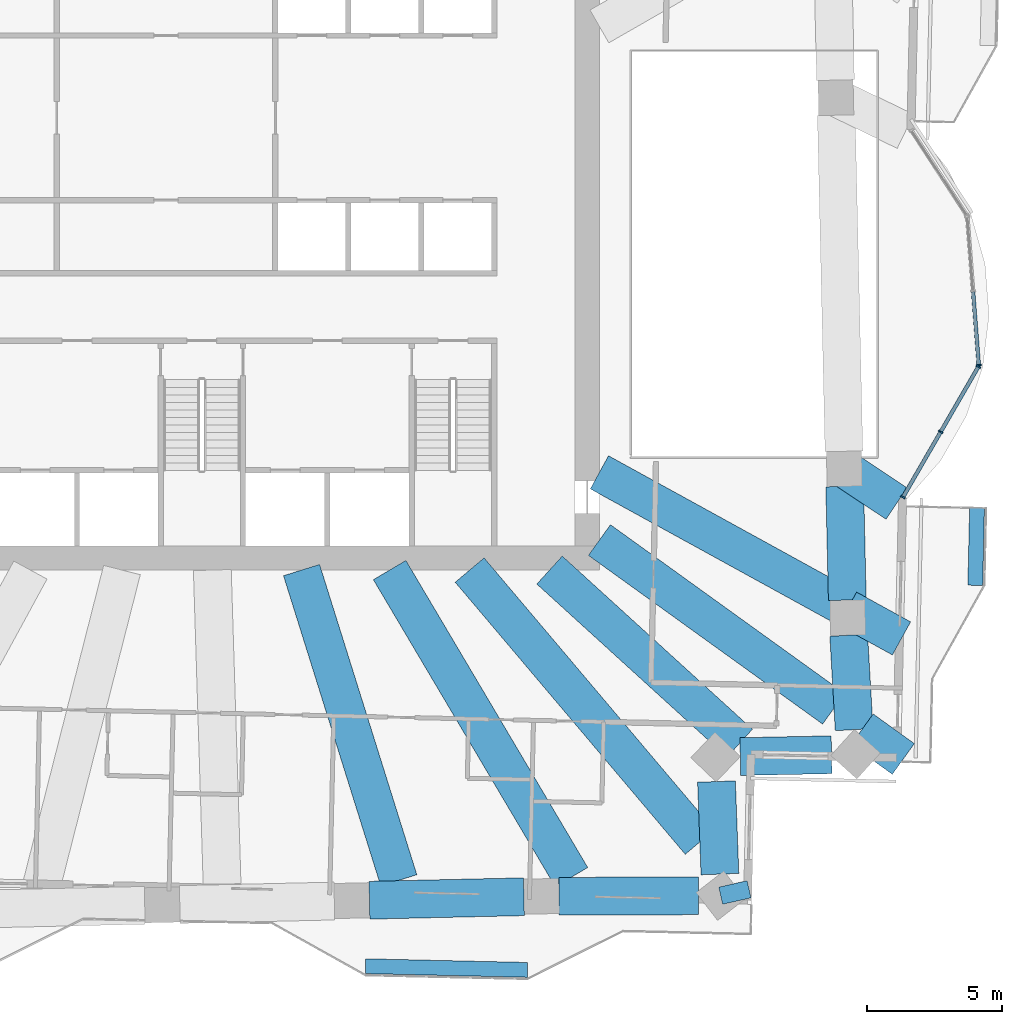
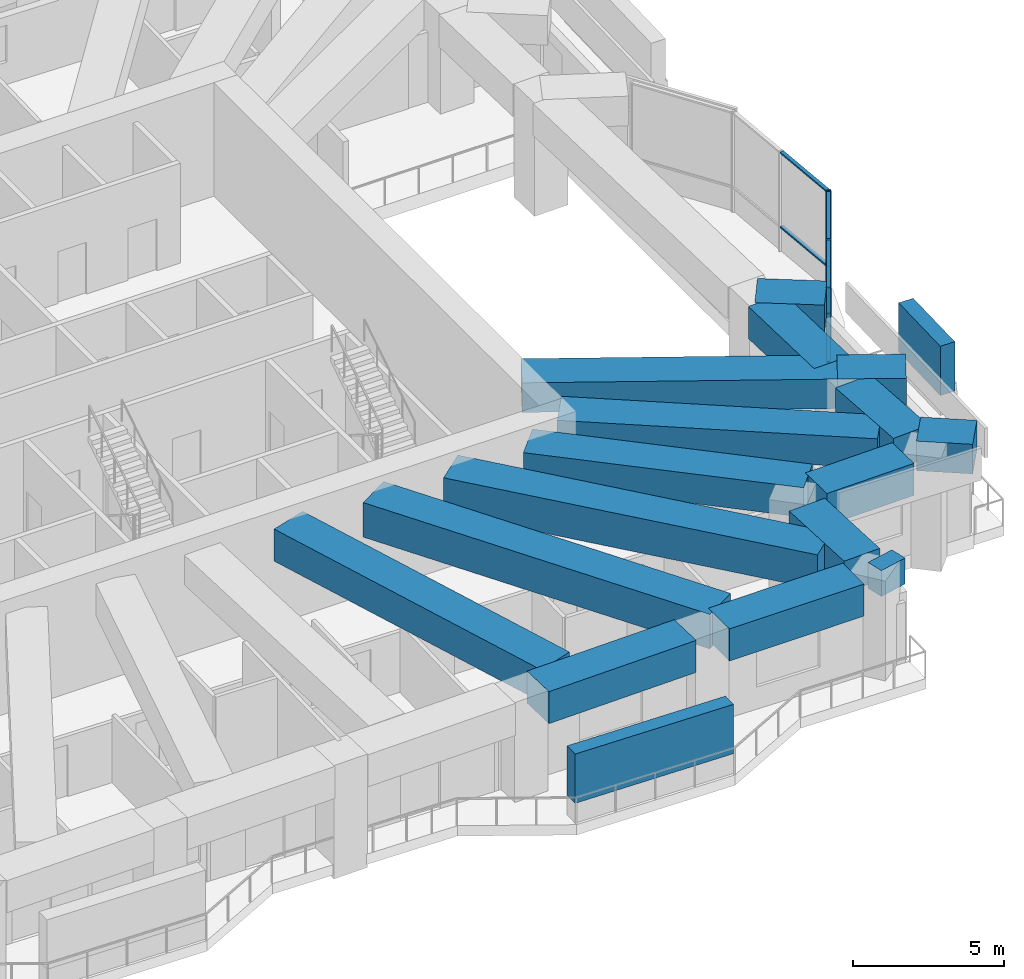
# One storey, part 3 of 17: 16 beams, 12 members, 2 elements without a shape of their own.
"""IFC4 building model written with IfcOpenShell, lengths in metres."""

from ifc_helpers import new_model, si_unit, direction, frame, origin, origin_2d, place, context, subcontext, project, spatial, rectangle, extrude, material, material_profile, profile_set, type_object, element, aggregate, save


model = new_model("IFC4")

# Units and contexts
model_context = context("Model", 3, precision=1e-05, world=origin(), true_north=direction((0.0, 1.0)))
body_context = subcontext(model_context, "Body", "Model", "MODEL_VIEW")
ifc_project = project(units=[si_unit("LENGTHUNIT", "METRE"), si_unit("AREAUNIT", "SQUARE_METRE"), si_unit("VOLUMEUNIT", "CUBIC_METRE"), si_unit("PLANEANGLEUNIT", "RADIAN"), si_unit("MASSUNIT", "GRAM", prefix="KILO")], contexts=[model_context])

# Site, building, storey
site_placement = place(None, origin())
site = spatial("IfcSite", under=ifc_project, at=site_placement, CompositionType="ELEMENT")
building_placement = place(site_placement, origin())
building = spatial("IfcBuilding", under=site, at=building_placement, Name="Mangrove Gate Tower", CompositionType="ELEMENT")
storey_placement = place(building_placement, frame((0.0, 0.0, 148.10009765625)))
storey = spatial("IfcBuildingStorey", under=building, at=storey_placement, Name="L37", CompositionType="ELEMENT", Elevation=148.10009765625)

# Members
ifc_material_1 = material(Name="Planting on aluminium trellis", Category="aluminium")
ifc_material_profile_1 = material_profile(ifc_material_1, rectangle(XDim=0.550048828125, YDim=2.0, at=origin_2d()))
ifc_profile_set_1 = profile_set([ifc_material_profile_1], Name="Planting on aluminium trellis")
member_type_1 = type_object("IfcMemberType", Name="Balcony greenery screen 550x2000", PredefinedType="USERDEFINED", material=ifc_profile_set_1)
member_1_placement = place(storey_placement, frame((28.62109375, -12.26611328125, 1.7998046875), z_axis=(0.022590224177, 0.999744808324, 0.0), x_axis=(-0.999744808324, 0.022590224177, 0.0)))
element("IfcMember", 1, at=member_1_placement, inside=storey, type_object=member_type_1, Name="GREEN SCREEN L37 E0.1", ObjectType="PLANTING", PredefinedType="USERDEFINED", context=body_context, shape_type="SweptSolid", body=[
    extrude(rectangle(XDim=0.550048828125, YDim=2.0, at=origin_2d()), origin(), (0.0, 0.0, 1.0), 2.874755859375),
])
member_2_placement = place(storey_placement, frame((6.0400390625, -26.3720703125, 1.7998046875), z_axis=(0.999743094499, -0.022665943652, 0.0), x_axis=(0.022665943652, 0.999743094499, 0.0)))
element("IfcMember", 2, at=member_2_placement, inside=storey, type_object=member_type_1, Name="GREEN SCREEN L37 S1.1", ObjectType="PLANTING", PredefinedType="USERDEFINED", context=body_context, shape_type="SweptSolid", body=[
    extrude(rectangle(XDim=0.550048828125, YDim=2.0, at=origin_2d()), origin(), (0.0, 0.0, 1.0), 5.99951171875),
])

# Curtain wall, members
ifc_material_2 = material(Name="Aluminium and glass curtain wall", Category="aluminium")
curtain_wall_type = type_object("IfcCurtainWallType", Name="Sky-lounge glazing wall", PredefinedType="NOTDEFINED", material=ifc_material_2)
curtain_wall_1_placement = place(storey_placement, origin())
curtain_wall_1 = element("IfcCurtainWall", 3, at=curtain_wall_1_placement, inside=storey, type_object=curtain_wall_type, Name="Sky-lounge glazing E1f1", PredefinedType="NOTDEFINED")
ifc_material_3 = material(Name="Aluminium alloy 6063-T6", Category="aluminium")
ifc_material_profile_2 = material_profile(ifc_material_3, rectangle(XDim=0.06005859375, YDim=0.179931640625, at=origin_2d()))
ifc_profile_set_2 = profile_set([ifc_material_profile_2], Name="Aluminium alloy 6063-T6")
member_type_2 = type_object("IfcMemberType", Name="Sky-lounge glazing mullion 60x180", PredefinedType="MULLION", material=ifc_profile_set_2)
member_3_placement = place(storey_placement, frame((25.94384765625, -8.99853515625, 0.0), z_axis=(0.0, 0.0, 1.0), x_axis=(0.500418160284, 0.865783844189, 0.0)))
member_3 = element("IfcMember", 4, at=member_3_placement, type_object=member_type_2, Name="CWK mullion 1", PredefinedType="MULLION", context=body_context, shape_type="SweptSolid", body=[
    extrude(rectangle(XDim=0.06005859375, YDim=0.179931640625, at=origin_2d()), origin(), (0.0, 0.0, 1.0), 4.0498046875),
])
member_4_placement = place(storey_placement, frame((27.340576171875, -6.582275390625, 0.0), z_axis=(0.0, 0.0, 1.0), x_axis=(0.500418160284, 0.865783844189, 0.0)))
member_4 = element("IfcMember", 5, at=member_4_placement, type_object=member_type_2, Name="CWK mullion 2", PredefinedType="MULLION", context=body_context, shape_type="SweptSolid", body=[
    extrude(rectangle(XDim=0.06005859375, YDim=0.179931640625, at=origin_2d()), origin(), (0.0, 0.0, 1.0), 4.0498046875),
])
member_5_placement = place(storey_placement, frame((28.737060546875, -4.166015625, 0.0), z_axis=(0.0, 0.0, 1.0), x_axis=(0.500418160284, 0.865783844189, 0.0)))
member_5 = element("IfcMember", 6, at=member_5_placement, type_object=member_type_2, Name="CWK mullion 3", PredefinedType="MULLION", context=body_context, shape_type="SweptSolid", body=[
    extrude(rectangle(XDim=0.06005859375, YDim=0.179931640625, at=origin_2d()), origin(), (0.0, 0.0, 1.0), 4.0498046875),
])

# Curtain wall, member
curtain_wall_2_placement = place(storey_placement, origin())
curtain_wall_2 = element("IfcCurtainWall", 7, at=curtain_wall_2_placement, inside=storey, type_object=curtain_wall_type, Name="Sky-lounge glazing E1f2", PredefinedType="NOTDEFINED")
member_6_placement = place(storey_placement, frame((28.749755859375, -4.110107421875, 0.0), z_axis=(0.0, 0.0, 1.0), x_axis=(-0.077023348403, 0.997029289339, 0.0)))
member_6 = element("IfcMember", 8, at=member_6_placement, type_object=member_type_2, Name="CWK mullion 1", PredefinedType="MULLION", context=body_context, shape_type="SweptSolid", body=[
    extrude(rectangle(XDim=0.06005859375, YDim=0.179931640625, at=origin_2d()), origin(), (0.0, 0.0, 1.0), 4.0498046875),
])

# Member
ifc_material_4 = material(Name="Aluminium alloy 6063-T6", Category="aluminium")
ifc_material_profile_3 = material_profile(ifc_material_4, rectangle(XDim=0.06005859375, YDim=0.139892578125, at=origin_2d()))
ifc_profile_set_3 = profile_set([ifc_material_profile_3], Name="Aluminium alloy 6063-T6")
member_type_3 = type_object("IfcMemberType", Name="Sky-lounge glazing transom 60x140", PredefinedType="USERDEFINED", material=ifc_profile_set_3)
member_7_placement = place(storey_placement, frame((25.958984375, -8.97265625, 1.0), z_axis=(0.500359513284, 0.865817739173, 0.0), x_axis=(0.0, 0.0, 1.0)))
member_7 = element("IfcMember", 9, at=member_7_placement, type_object=member_type_3, Name="CWK transom 1.2", ObjectType="TRANSOM", PredefinedType="USERDEFINED", context=body_context, shape_type="SweptSolid", body=[
    extrude(rectangle(XDim=0.06005859375, YDim=0.139892578125, at=origin_2d()), origin(), (0.0, 0.0, 1.0), 2.73095703125),
])

member_8_placement = place(storey_placement, frame((25.958984375, -8.97265625, 4.02001953125), z_axis=(0.500359513284, 0.865817739173, 0.0), x_axis=(0.0, 0.0, 1.0)))
member_8 = element("IfcMember", 10, at=member_8_placement, type_object=member_type_3, Name="CWK transom 1.3", ObjectType="TRANSOM", PredefinedType="USERDEFINED", context=body_context, shape_type="SweptSolid", body=[
    extrude(rectangle(XDim=0.06005859375, YDim=0.139892578125, at=origin_2d()), origin(), (0.0, 0.0, 1.0), 2.73095703125),
])

member_9_placement = place(storey_placement, frame((27.35546875, -6.556396484375, 1.0), z_axis=(0.500426524989, 0.865779009382, 0.0), x_axis=(0.0, 0.0, 1.0)))
member_9 = element("IfcMember", 11, at=member_9_placement, type_object=member_type_3, Name="CWK transom 2.2", ObjectType="TRANSOM", PredefinedType="USERDEFINED", context=body_context, shape_type="SweptSolid", body=[
    extrude(rectangle(XDim=0.06005859375, YDim=0.139892578125, at=origin_2d()), origin(), (0.0, 0.0, 1.0), 2.73095703125),
])

member_10_placement = place(storey_placement, frame((27.35546875, -6.556396484375, 4.02001953125), z_axis=(0.500426524989, 0.865779009382, 0.0), x_axis=(0.0, 0.0, 1.0)))
member_10 = element("IfcMember", 12, at=member_10_placement, type_object=member_type_3, Name="CWK transom 2.3", ObjectType="TRANSOM", PredefinedType="USERDEFINED", context=body_context, shape_type="SweptSolid", body=[
    extrude(rectangle(XDim=0.06005859375, YDim=0.139892578125, at=origin_2d()), origin(), (0.0, 0.0, 1.0), 2.73095703125),
])

aggregate(curtain_wall_1, [member_3, member_4, member_5, member_7, member_8, member_9, member_10])

member_11_placement = place(storey_placement, frame((28.74755859375, -4.080078125, 1.0), z_axis=(-0.077042645639, 0.997027798385, 0.0), x_axis=(0.0, 0.0, 1.0)))
member_11 = element("IfcMember", 13, at=member_11_placement, type_object=member_type_3, Name="CWK transom 1.2", ObjectType="TRANSOM", PredefinedType="USERDEFINED", context=body_context, shape_type="SweptSolid", body=[
    extrude(rectangle(XDim=0.06005859375, YDim=0.139892578125, at=origin_2d()), origin(), (0.0, 0.0, 1.0), 2.69677734375),
])

member_12_placement = place(storey_placement, frame((28.74755859375, -4.080078125, 4.02001953125), z_axis=(-0.077042645639, 0.997027798385, 0.0), x_axis=(0.0, 0.0, 1.0)))
member_12 = element("IfcMember", 14, at=member_12_placement, type_object=member_type_3, Name="CWK transom 1.3", ObjectType="TRANSOM", PredefinedType="USERDEFINED", context=body_context, shape_type="SweptSolid", body=[
    extrude(rectangle(XDim=0.06005859375, YDim=0.139892578125, at=origin_2d()), origin(), (0.0, 0.0, 1.0), 2.69677734375),
])

aggregate(curtain_wall_2, [member_6, member_11, member_12])

# Beams
ifc_material_5 = material(Name="Concrete C60/75", Category="concrete")
ifc_material_profile_4 = material_profile(ifc_material_5, rectangle(XDim=1.39990234375, YDim=1.199951171875, at=origin_2d()))
ifc_profile_set_4 = profile_set([ifc_material_profile_4], Name="Concrete C60/75")
beam_type_1 = type_object("IfcBeamType", Name="Transfer girder RC 1400x1200 C60/75", PredefinedType="BEAM", material=ifc_profile_set_4)
beam_1_placement = place(storey_placement, frame((12.852783203125, -11.699951171875, 3.449951171875), z_axis=(0.739487699429, -0.673170069443, 0.0), x_axis=(0.673170069443, 0.739487699429, 0.0)))
element("IfcBeam", 15, at=beam_1_placement, inside=storey, type_object=beam_type_1, Name="Transfer girder L37 11", PredefinedType="BEAM", context=body_context, shape_type="SweptSolid", body=[
    extrude(rectangle(XDim=1.39990234375, YDim=1.199951171875, at=origin_2d()), origin(), (0.0, 0.0, 1.0), 9.52734375),
])
beam_2_placement = place(storey_placement, frame((14.699951171875, -10.58837890625, 3.449951171875), z_axis=(0.811428215663, -0.584452094552, 0.0), x_axis=(0.584452094552, 0.811428215663, 0.0)))
element("IfcBeam", 16, at=beam_2_placement, inside=storey, type_object=beam_type_1, Name="Transfer girder L37 12", PredefinedType="BEAM", context=body_context, shape_type="SweptSolid", body=[
    extrude(rectangle(XDim=1.39990234375, YDim=1.199951171875, at=origin_2d()), origin(), (0.0, 0.0, 1.0), 10.691650390625),
])
beam_3_placement = place(storey_placement, frame((24.43017578125, -17.596923828125, 3.449951171875), z_axis=(0.811376772307, -0.584523509673, 0.0), x_axis=(0.584523509673, 0.811376772307, 0.0)))
element("IfcBeam", 17, at=beam_3_placement, inside=storey, type_object=beam_type_1, Name="Transfer cantilever girder L37 12", PredefinedType="BEAM", context=body_context, shape_type="SweptSolid", body=[
    extrude(rectangle(XDim=1.39990234375, YDim=1.199951171875, at=origin_2d()), origin(), (0.0, 0.0, 1.0), 1.881103515625),
])
beam_4_placement = place(storey_placement, frame((14.699951171875, -8.080078125, 3.449951171875), z_axis=(0.876337305893, -0.481697961695, 0.0), x_axis=(0.481697961695, 0.876337305893, 0.0)))
element("IfcBeam", 18, at=beam_4_placement, inside=storey, type_object=beam_type_1, Name="Transfer girder L37 13", PredefinedType="BEAM", context=body_context, shape_type="SweptSolid", body=[
    extrude(rectangle(XDim=1.39990234375, YDim=1.199951171875, at=origin_2d()), origin(), (0.0, 0.0, 1.0), 10.4853515625),
])
beam_5_placement = place(storey_placement, frame((23.888671875, -13.130859375, 3.449951171875), z_axis=(0.876321974304, -0.481725852899, 0.0), x_axis=(0.481725852899, 0.876321974304, 0.0)))
element("IfcBeam", 19, at=beam_5_placement, inside=storey, type_object=beam_type_1, Name="Transfer cantilever girder L37 13", PredefinedType="BEAM", context=body_context, shape_type="SweptSolid", body=[
    extrude(rectangle(XDim=1.39990234375, YDim=1.199951171875, at=origin_2d()), origin(), (0.0, 0.0, 1.0), 2.28369140625),
])
beam_6_placement = place(storey_placement, frame((23.771240234375, -7.95166015625, 3.449951171875), z_axis=(0.832988418917, -0.553290424596, 0.0), x_axis=(0.553290424596, 0.832988418917, 0.0)))
element("IfcBeam", 20, at=beam_6_placement, inside=storey, type_object=beam_type_1, Name="Transfer edge girder L37 14", PredefinedType="BEAM", context=body_context, shape_type="SweptSolid", body=[
    extrude(rectangle(XDim=1.39990234375, YDim=1.199951171875, at=origin_2d()), origin(), (0.0, 0.0, 1.0), 2.3193359375),
])
ifc_material_6 = material(Name="Concrete C60/75", Category="concrete")
ifc_material_profile_5 = material_profile(ifc_material_6, rectangle(XDim=1.39990234375, YDim=1.300048828125, at=origin_2d()))
ifc_profile_set_5 = profile_set([ifc_material_profile_5], Name="Concrete C60/75")
beam_type_2 = type_object("IfcBeamType", Name="Transfer girder RC 1400x1300 C60/75", PredefinedType="BEAM", material=ifc_profile_set_5)
beam_7_placement = place(storey_placement, frame((6.18115234375, -23.929443359375, 3.39990234375), z_axis=(0.999740645245, 0.022773718307, 0.0), x_axis=(-0.022773718307, 0.999740645245, 0.0)))
element("IfcBeam", 21, at=beam_7_placement, inside=storey, type_object=beam_type_2, Name="Transfer ring girder L37 08", PredefinedType="BEAM", context=body_context, shape_type="SweptSolid", body=[
    extrude(rectangle(XDim=1.39990234375, YDim=1.300048828125, at=origin_2d()), origin(), (0.0, 0.0, 1.0), 5.724609375),
])
beam_8_placement = place(storey_placement, frame((13.204345703125, -23.781982421875, 3.39990234375), z_axis=(0.99999421433, 0.003401662262, 0.0), x_axis=(-0.003401662262, 0.99999421433, 0.0)))
element("IfcBeam", 22, at=beam_8_placement, inside=storey, type_object=beam_type_2, Name="Transfer ring girder L37 09", PredefinedType="BEAM", context=body_context, shape_type="SweptSolid", body=[
    extrude(rectangle(XDim=1.39990234375, YDim=1.300048828125, at=origin_2d()), origin(), (0.0, 0.0, 1.0), 5.16748046875),
])
beam_9_placement = place(storey_placement, frame((19.1630859375, -22.961669921875, 3.39990234375), z_axis=(-0.036930074428, 0.999317852139, 0.0), x_axis=(-0.999317852139, -0.036930074428, 0.0)))
element("IfcBeam", 23, at=beam_9_placement, inside=storey, type_object=beam_type_2, Name="Transfer ring girder L37 10", PredefinedType="BEAM", context=body_context, shape_type="SweptSolid", body=[
    extrude(rectangle(XDim=1.39990234375, YDim=1.300048828125, at=origin_2d()), origin(), (0.0, 0.0, 1.0), 3.43115234375),
])
beam_10_placement = place(storey_placement, frame((19.919677734375, -18.608642578125, 3.39990234375), z_axis=(0.999798119062, 0.020092812629, 0.0), x_axis=(-0.020092812629, 0.999798119062, 0.0)))
element("IfcBeam", 24, at=beam_10_placement, inside=storey, type_object=beam_type_2, Name="Transfer ring girder L37 11", PredefinedType="BEAM", context=body_context, shape_type="SweptSolid", body=[
    extrude(rectangle(XDim=1.39990234375, YDim=1.300048828125, at=origin_2d()), origin(), (0.0, 0.0, 1.0), 3.3779296875),
])
beam_11_placement = place(storey_placement, frame((24.135498046875, -17.6103515625, 3.39990234375), z_axis=(-0.0576192371, 0.998338631686, 0.0), x_axis=(-0.998338631686, -0.0576192371, 0.0)))
element("IfcBeam", 25, at=beam_11_placement, inside=storey, type_object=beam_type_2, Name="Transfer ring girder L37 12", PredefinedType="BEAM", context=body_context, shape_type="SweptSolid", body=[
    extrude(rectangle(XDim=1.39990234375, YDim=1.300048828125, at=origin_2d()), origin(), (0.0, 0.0, 1.0), 3.504150390625),
])
beam_12_placement = place(storey_placement, frame((23.88134765625, -12.81298828125, 3.39990234375), z_axis=(-0.022660846095, 0.999743210057, 0.0), x_axis=(-0.999743210057, -0.022660846095, 0.0)))
element("IfcBeam", 26, at=beam_12_placement, inside=storey, type_object=beam_type_2, Name="Transfer ring girder L37 13", PredefinedType="BEAM", context=body_context, shape_type="SweptSolid", body=[
    extrude(rectangle(XDim=1.39990234375, YDim=1.300048828125, at=origin_2d()), origin(), (0.0, 0.0, 1.0), 4.21240234375),
])
beam_13_placement = place(storey_placement, frame((3.667724609375, -11.699951171875, 3.39990234375), z_axis=(0.299150836505, -0.95420583577, 0.0), x_axis=(0.95420583577, 0.299150836505, 0.0)))
element("IfcBeam", 27, at=beam_13_placement, inside=storey, type_object=beam_type_2, Name="Transfer girder L37 08", PredefinedType="BEAM", context=body_context, shape_type="SweptSolid", body=[
    extrude(rectangle(XDim=1.39990234375, YDim=1.300048828125, at=origin_2d()), origin(), (0.0, 0.0, 1.0), 12.044921875),
])
ifc_material_7 = material(Name="Concrete C60/75", Category="concrete")
ifc_material_profile_6 = material_profile(ifc_material_7, rectangle(XDim=1.39990234375, YDim=1.39990234375, at=origin_2d()))
ifc_profile_set_6 = profile_set([ifc_material_profile_6], Name="Concrete C60/75")
beam_type_3 = type_object("IfcBeamType", Name="Transfer girder RC 1400x1400 C60/75", PredefinedType="BEAM", material=ifc_profile_set_6)
beam_14_placement = place(storey_placement, frame((6.93017578125, -11.699951171875, 3.349853515625), z_axis=(0.509617593892, -0.860401015803, 0.0), x_axis=(0.860401015803, 0.509617593892, 0.0)))
element("IfcBeam", 28, at=beam_14_placement, inside=storey, type_object=beam_type_3, Name="Transfer girder L37 09", PredefinedType="BEAM", context=body_context, shape_type="SweptSolid", body=[
    extrude(rectangle(XDim=1.39990234375, YDim=1.39990234375, at=origin_2d()), origin(), (0.0, 0.0, 1.0), 13.218994140625),
])
beam_15_placement = place(storey_placement, frame((9.894287109375, -11.699951171875, 3.349853515625), z_axis=(0.645730728218, -0.763565207847, 0.0), x_axis=(0.763565207847, 0.645730728218, 0.0)))
element("IfcBeam", 29, at=beam_15_placement, inside=storey, type_object=beam_type_3, Name="Transfer girder L37 10", PredefinedType="BEAM", context=body_context, shape_type="SweptSolid", body=[
    extrude(rectangle(XDim=1.39990234375, YDim=1.39990234375, at=origin_2d()), origin(), (0.0, 0.0, 1.0), 13.19580078125),
])
ifc_material_8 = material(Name="Concrete C60/75", Category="concrete")
ifc_material_profile_7 = material_profile(ifc_material_8, rectangle(XDim=0.64990234375, YDim=1.050048828125, at=origin_2d()))
ifc_profile_set_7 = profile_set([ifc_material_profile_7], Name="Concrete C60/75")
beam_type_4 = type_object("IfcBeamType", Name="Transfer girder RC 650x1050 C60/75", PredefinedType="BEAM", material=ifc_profile_set_7)
beam_16_placement = place(storey_placement, frame((19.1923828125, -23.761474609375, 3.52490234375), z_axis=(0.975281944785, 0.220964087979, 0.0), x_axis=(-0.220964087979, 0.975281944785, 0.0)))
element("IfcBeam", 30, at=beam_16_placement, inside=storey, type_object=beam_type_4, Name="Transfer edge girder L37 10", PredefinedType="BEAM", context=body_context, shape_type="SweptSolid", body=[
    extrude(rectangle(XDim=0.64990234375, YDim=1.050048828125, at=origin_2d()), origin(), (0.0, 0.0, 1.0), 1.076171875),
])

save(model, "model.ifc")
